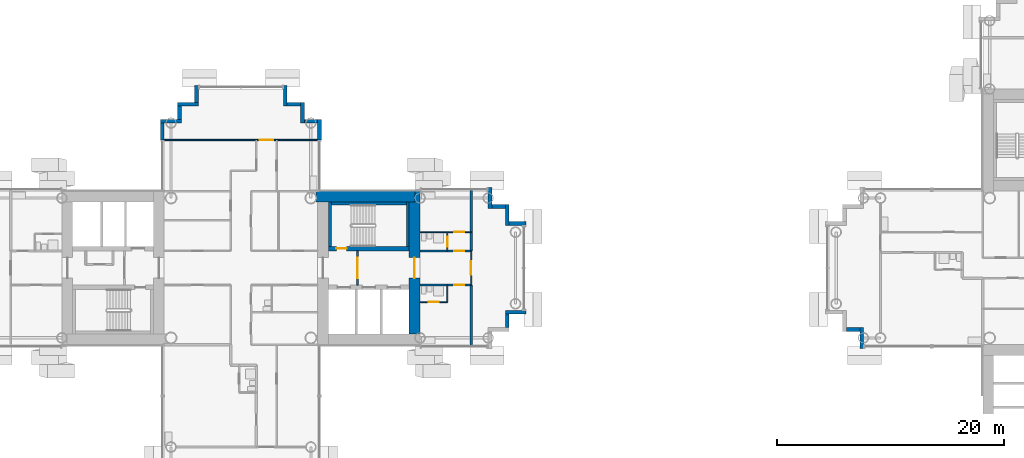
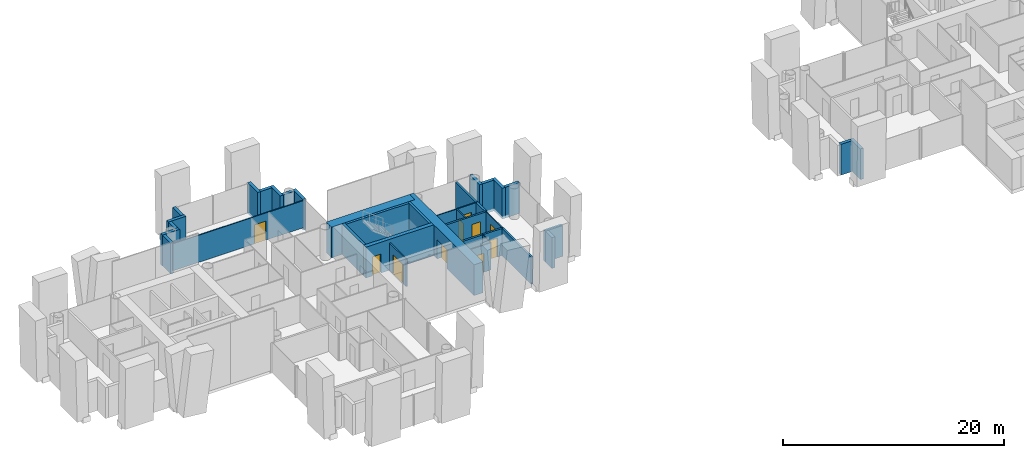
# One storey, part 10 of 20: 35 walls, 10 doors, 10 openings.
"""IFC4 building model written with IfcOpenShell, lengths in metres."""

from ifc_helpers import new_model, si_unit, direction, frame, frame_2d, origin, place, context, subcontext, project, spatial, rectangle, extrude, material, layer, layer_set, type_object, element, fill, save


model = new_model("IFC4")

# Units and contexts
model_context = context("Model", 3, precision=1e-05, world=origin(), true_north=direction((0.0, 1.0)))
body_context = subcontext(model_context, "Body", "Model", "MODEL_VIEW")
ifc_project = project(units=[si_unit("LENGTHUNIT", "METRE"), si_unit("AREAUNIT", "SQUARE_METRE"), si_unit("VOLUMEUNIT", "CUBIC_METRE"), si_unit("PLANEANGLEUNIT", "RADIAN"), si_unit("MASSUNIT", "GRAM", prefix="KILO")], contexts=[model_context])

# Site, building, storey
site_placement = place(None, origin())
site = spatial("IfcSite", under=ifc_project, at=site_placement, CompositionType="ELEMENT")
building_placement = place(site_placement, origin())
building = spatial("IfcBuilding", under=site, at=building_placement, Name="Ipe Terrace Towers", CompositionType="ELEMENT")
storey_placement = place(building_placement, frame((0.0, 0.0, 100.39990234375)))
storey = spatial("IfcBuildingStorey", under=building, at=storey_placement, Name="L27", CompositionType="ELEMENT", Elevation=100.39990234375)

# Walls
ifc_material_1 = material(Name="Concrete C40/50 with buff precast cladding", Category="concrete")
ifc_layer_1 = layer(ifc_material_1, 0.320068359375)
ifc_layer_set_1 = layer_set([ifc_layer_1], Name="BUFF CLADDING WALL 320")
wall_type_1 = type_object("IfcWallType", Name="BUFF CLADDING WALL 320", PredefinedType="STANDARD", material=ifc_layer_set_1)
wall_1_placement = place(storey_placement, frame((-12.590087890625, -5.25, -0.2998046875), z_axis=(0.0, 0.0, 1.0), x_axis=(0.0, 1.0, 0.0)))
element("IfcWall", 1, at=wall_1_placement, inside=storey, type_object=wall_type_1, Name="T1-W-L27-23a wall", PredefinedType="STANDARD", context=body_context, shape_type="SweptSolid", body=[
    extrude(rectangle(XDim=1.179931640625, YDim=0.320068359375, at=frame_2d((0.58984375, 0.0))), origin(), (0.0, 0.0, 1.0), 3.39990234375),
])
wall_2_placement = place(storey_placement, frame((-12.75, -3.909912109375, -0.2998046875), z_axis=(0.0, 0.0, 1.0), x_axis=(1.0, 0.0, 0.0)))
element("IfcWall", 2, at=wall_2_placement, inside=storey, type_object=wall_type_1, Name="T1-W-L27-24a wall", PredefinedType="STANDARD", context=body_context, shape_type="SweptSolid", body=[
    extrude(rectangle(XDim=1.820068359375, YDim=0.320068359375, at=frame_2d((0.91015625, 0.0))), origin(), (0.0, 0.0, 1.0), 3.39990234375),
])
wall_3_placement = place(storey_placement, frame((-10.929931640625, 3.909912109375, -0.2998046875), z_axis=(0.0, 0.0, 1.0), x_axis=(-1.0, 0.0, 0.0)))
element("IfcWall", 3, at=wall_3_placement, inside=storey, type_object=wall_type_1, Name="T1-W-L27-26a wall", PredefinedType="STANDARD", context=body_context, shape_type="SweptSolid", body=[
    extrude(rectangle(XDim=1.5, YDim=0.320068359375, at=frame_2d((0.75, 0.0))), origin(), (0.0, 0.0, 1.0), 3.39990234375),
])
wall_4_placement = place(storey_placement, frame((-12.590087890625, 3.75, -0.2998046875), z_axis=(0.0, 0.0, 1.0), x_axis=(0.0, 1.0, 0.0)))
element("IfcWall", 4, at=wall_4_placement, inside=storey, type_object=wall_type_1, Name="T1-W-L27-27a wall", PredefinedType="STANDARD", context=body_context, shape_type="SweptSolid", body=[
    extrude(rectangle(XDim=1.820068359375, YDim=0.320068359375, at=frame_2d((0.91015625, 0.0))), origin(), (0.0, 0.0, 1.0), 3.39990234375),
])
wall_5_placement = place(storey_placement, frame((-12.75, 5.409912109375, -0.2998046875), z_axis=(0.0, 0.0, 1.0), x_axis=(-1.0, 0.0, 0.0)))
element("IfcWall", 5, at=wall_5_placement, inside=storey, type_object=wall_type_1, Name="T1-W-L27-28a wall", PredefinedType="STANDARD", context=body_context, shape_type="SweptSolid", body=[
    extrude(rectangle(XDim=1.179931640625, YDim=0.320068359375, at=frame_2d((0.58984375, 0.0))), origin(), (0.0, 0.0, 1.0), 3.39990234375),
])
for number, where, z_axis, x_axis, name in (
    (6, (-14.090087890625, 5.25, -0.2998046875), (0.0, 0.0, 1.0), (0.0, 1.0, 0.0), "T1-W-L27-29a wall"),
    (7, (-29.090087890625, 11.25, -0.2998046875), (0.0, 0.0, 1.0), (0.0, 1.0, 0.0), "T1-W-L27-33a wall"),
):
    element("IfcWall", number, at=place(storey_placement, frame(where, z_axis=z_axis, x_axis=x_axis)), inside=storey, type_object=wall_type_1, Name=name, PredefinedType="STANDARD", context=body_context, shape_type="SweptSolid", body=[
        extrude(rectangle(XDim=1.820068359375, YDim=0.320068359375, at=frame_2d((0.91015625, 0.0))), origin(), (0.0, 0.0, 1.0), 3.39990234375),
    ])
wall_6_placement = place(storey_placement, frame((-29.25, 12.909912109375, -0.2998046875), z_axis=(0.0, 0.0, 1.0), x_axis=(-1.0, 0.0, 0.0)))
element("IfcWall", 8, at=wall_6_placement, inside=storey, type_object=wall_type_1, Name="T1-W-L27-34a wall", PredefinedType="STANDARD", context=body_context, shape_type="SweptSolid", body=[
    extrude(rectangle(XDim=1.179931640625, YDim=0.320068359375, at=frame_2d((0.58984375, 0.0))), origin(), (0.0, 0.0, 1.0), 3.39990234375),
])
wall_7_placement = place(storey_placement, frame((-30.590087890625, 12.75, -0.2998046875), z_axis=(0.0, 0.0, 1.0), x_axis=(0.0, 1.0, 0.0)))
element("IfcWall", 9, at=wall_7_placement, inside=storey, type_object=wall_type_1, Name="T1-W-L27-35a wall", PredefinedType="STANDARD", context=body_context, shape_type="SweptSolid", body=[
    extrude(rectangle(XDim=1.820068359375, YDim=0.320068359375, at=frame_2d((0.91015625, 0.0))), origin(), (0.0, 0.0, 1.0), 3.39990234375),
])
wall_8_placement = place(storey_placement, frame((-30.75, 14.409912109375, -0.2998046875), z_axis=(0.0, 0.0, 1.0), x_axis=(-1.0, 0.0, 0.0)))
element("IfcWall", 10, at=wall_8_placement, inside=storey, type_object=wall_type_1, Name="T1-W-L27-36a wall", PredefinedType="STANDARD", context=body_context, shape_type="SweptSolid", body=[
    extrude(rectangle(XDim=1.179931640625, YDim=0.320068359375, at=frame_2d((0.58984375, 0.0))), origin(), (0.0, 0.0, 1.0), 3.39990234375),
])
wall_9_placement = place(storey_placement, frame((-32.090087890625, 14.25, -0.2998046875), z_axis=(0.0, 0.0, 1.0), x_axis=(0.0, 1.0, 0.0)))
element("IfcWall", 11, at=wall_9_placement, inside=storey, type_object=wall_type_1, Name="T1-W-L27-37a wall", PredefinedType="STANDARD", context=body_context, shape_type="SweptSolid", body=[
    extrude(rectangle(XDim=1.820068359375, YDim=0.320068359375, at=frame_2d((0.91015625, 0.0))), origin(), (0.0, 0.0, 1.0), 3.39990234375),
])
wall_10_placement = place(storey_placement, frame((-39.909912109375, 16.070068359375, -0.2998046875), z_axis=(0.0, 0.0, 1.0), x_axis=(0.0, -1.0, 0.0)))
element("IfcWall", 12, at=wall_10_placement, inside=storey, type_object=wall_type_1, Name="T1-W-L27-39a wall", PredefinedType="STANDARD", context=body_context, shape_type="SweptSolid", body=[
    extrude(rectangle(XDim=1.5, YDim=0.320068359375, at=frame_2d((0.75, 0.0))), origin(), (0.0, 0.0, 1.0), 3.39990234375),
])
wall_11_placement = place(storey_placement, frame((-39.75, 14.409912109375, -0.2998046875), z_axis=(0.0, 0.0, 1.0), x_axis=(-1.0, 0.0, 0.0)))
element("IfcWall", 13, at=wall_11_placement, inside=storey, type_object=wall_type_1, Name="T1-W-L27-40a wall", PredefinedType="STANDARD", context=body_context, shape_type="SweptSolid", body=[
    extrude(rectangle(XDim=1.820068359375, YDim=0.320068359375, at=frame_2d((0.91015625, 0.0))), origin(), (0.0, 0.0, 1.0), 3.39990234375),
])
wall_12_placement = place(storey_placement, frame((-41.409912109375, 14.25, -0.2998046875), z_axis=(0.0, 0.0, 1.0), x_axis=(0.0, -1.0, 0.0)))
element("IfcWall", 14, at=wall_12_placement, inside=storey, type_object=wall_type_1, Name="T1-W-L27-41a wall", PredefinedType="STANDARD", context=body_context, shape_type="SweptSolid", body=[
    extrude(rectangle(XDim=1.179931640625, YDim=0.320068359375, at=frame_2d((0.58984375, 0.0))), origin(), (0.0, 0.0, 1.0), 3.39990234375),
])
wall_13_placement = place(storey_placement, frame((-41.25, 12.909912109375, -0.2998046875), z_axis=(0.0, 0.0, 1.0), x_axis=(-1.0, 0.0, 0.0)))
element("IfcWall", 15, at=wall_13_placement, inside=storey, type_object=wall_type_1, Name="T1-W-L27-42a wall", PredefinedType="STANDARD", context=body_context, shape_type="SweptSolid", body=[
    extrude(rectangle(XDim=1.820068359375, YDim=0.320068359375, at=frame_2d((0.91015625, 0.0))), origin(), (0.0, 0.0, 1.0), 3.39990234375),
])
wall_14_placement = place(storey_placement, frame((-42.909912109375, 12.75, -0.2998046875), z_axis=(0.0, 0.0, 1.0), x_axis=(0.0, -1.0, 0.0)))
element("IfcWall", 16, at=wall_14_placement, inside=storey, type_object=wall_type_1, Name="T1-W-L27-43a wall", PredefinedType="STANDARD", context=body_context, shape_type="SweptSolid", body=[
    extrude(rectangle(XDim=1.5, YDim=0.320068359375, at=frame_2d((0.75, 0.0))), origin(), (0.0, 0.0, 1.0), 3.39990234375),
])
wall_15_placement = place(storey_placement, frame((17.25, -5.409912109375, -0.2998046875), z_axis=(0.0, 0.0, 1.0), x_axis=(1.0, 0.0, 0.0)))
element("IfcWall", 17, at=wall_15_placement, inside=storey, type_object=wall_type_1, Name="T2-W-L27-37a wall", PredefinedType="STANDARD", context=body_context, shape_type="SweptSolid", body=[
    extrude(rectangle(XDim=1.179931640625, YDim=0.320068359375, at=frame_2d((0.58984375, 0.0))), origin(), (0.0, 0.0, 1.0), 3.39990234375),
])
wall_16_placement = place(storey_placement, frame((18.590087890625, -5.25, -0.2998046875), z_axis=(0.0, 0.0, 1.0), x_axis=(0.0, -1.0, 0.0)))
element("IfcWall", 18, at=wall_16_placement, inside=storey, type_object=wall_type_1, Name="T2-W-L27-38a wall", PredefinedType="STANDARD", context=body_context, shape_type="SweptSolid", body=[
    extrude(rectangle(XDim=1.820068359375, YDim=0.320068359375, at=frame_2d((0.91015625, 0.0))), origin(), (0.0, 0.0, 1.0), 3.39990234375),
])
ifc_material_2 = material(Name="Gypsum board partition", Category="plasterboard")
ifc_layer_2 = layer(ifc_material_2, 0.10009765625)
ifc_layer_set_2 = layer_set([ifc_layer_2], Name="Gypsum board partition 100 mm")
wall_type_2 = type_object("IfcWallType", Name="Gypsum board partition 100 mm", PredefinedType="PARTITIONING", material=ifc_layer_set_2)
wall_17_placement = place(storey_placement, frame((-17.85009765625, -3.0, 0.0), z_axis=(0.0, 0.0, 1.0), x_axis=(0.0, 1.0, 0.0)))
element("IfcWall", 19, at=wall_17_placement, inside=storey, type_object=wall_type_2, Name="Gypsum board partition T1 L27 W16", PredefinedType="PARTITIONING", context=body_context, shape_type="SweptSolid", body=[
    extrude(rectangle(XDim=1.5, YDim=0.10009765625, at=frame_2d((0.75, 0.0))), origin(), (0.0, 0.0, 1.0), 3.0),
])

# Wall, opening, door
wall_18_placement = place(storey_placement, frame((-17.85009765625, 1.5, 0.0), z_axis=(0.0, 0.0, 1.0), x_axis=(0.0, 1.0, 0.0)))
wall_18 = element("IfcWall", 20, at=wall_18_placement, inside=storey, type_object=wall_type_2, Name="Gypsum board partition T1 L27 W17", PredefinedType="PARTITIONING", context=body_context, shape_type="SweptSolid", body=[
    extrude(rectangle(XDim=1.64990234375, YDim=0.10009765625, at=frame_2d((0.824951171875, 0.0))), origin(), (0.0, 0.0, 1.0), 3.0),
])
opening_1_placement = place(wall_18_placement, frame((0.35009765625, 0.0, 0.0)))
opening_1 = element("IfcOpeningElement", 21, at=opening_1_placement, cuts=wall_18, Name="Opening T1-Z2E-18", PredefinedType="OPENING", context=body_context, shape_type="SweptSolid", body=[
    extrude(rectangle(XDim=0.89990234375, YDim=2.10009765625, at=frame_2d((0.449951171875, 1.050048828125))), frame((0.0, 0.06005859375, 0.0), z_axis=(0.0, -1.0, 0.0), x_axis=(1.0, 0.0, 0.0)), (0.0, 0.0, 1.0), 0.1201171875),
])
ifc_material_3 = material(Name="Timber door leaf", Category="wood")
door_type_1 = type_object("IfcDoorType", Name="Bathroom door 900 x 2100", OperationType="NOTDEFINED", PredefinedType="DOOR", material=ifc_material_3)
door_1_placement = place(opening_1_placement, origin())
door_1 = element("IfcDoor", 22, at=door_1_placement, inside=storey, type_object=door_type_1, Name="Bathroom door T1-Z2E-18", OperationType="SINGLE_SWING_RIGHT", OverallHeight=2.10009765625, OverallWidth=0.89990234375, PredefinedType="DOOR", context=body_context, shape_type="SweptSolid", body=[
    extrude(rectangle(XDim=0.89990234375, YDim=2.10009765625, at=frame_2d((0.449951171875, 1.050048828125))), frame((0.0, 0.02490234375, 0.0), z_axis=(0.0, -1.0, 0.0), x_axis=(1.0, 0.0, 0.0)), (0.0, 0.0, 1.0), 0.050048828125),
])
fill(opening_1, door_1)

wall_19_placement = place(storey_placement, frame((-15.75, -1.5, 0.0), z_axis=(0.0, 0.0, 1.0), x_axis=(0.0, 1.0, 0.0)))
wall_19 = element("IfcWall", 23, at=wall_19_placement, inside=storey, type_object=wall_type_2, Name="Gypsum board partition T1 L27 W18", PredefinedType="PARTITIONING", context=body_context, shape_type="SweptSolid", body=[
    extrude(rectangle(XDim=3.0, YDim=0.10009765625, at=frame_2d((1.5, 0.0))), origin(), (0.0, 0.0, 1.0), 3.0),
])
opening_2_placement = place(wall_19_placement, frame((0.89990234375, 0.0, 0.0)))
opening_2 = element("IfcOpeningElement", 24, at=opening_2_placement, cuts=wall_19, Name="Opening T1-Z2E-21", PredefinedType="OPENING", context=body_context, shape_type="SweptSolid", body=[
    extrude(rectangle(XDim=1.199951171875, YDim=2.10009765625, at=frame_2d((0.60009765625, 1.050048828125))), frame((0.0, 0.06005859375, 0.0), z_axis=(0.0, -1.0, 0.0), x_axis=(1.0, 0.0, 0.0)), (0.0, 0.0, 1.0), 0.1201171875),
])
ifc_material_4 = material(Name="Timber door leaf", Category="wood")
door_type_2 = type_object("IfcDoorType", Name="Lounge door 1200 x 2100", OperationType="NOTDEFINED", PredefinedType="DOOR", material=ifc_material_4)
door_2_placement = place(opening_2_placement, origin())
door_2 = element("IfcDoor", 25, at=door_2_placement, inside=storey, type_object=door_type_2, Name="Lounge door T1-Z2E-21", OperationType="SINGLE_SWING_RIGHT", OverallHeight=2.10009765625, OverallWidth=1.199951171875, PredefinedType="DOOR", context=body_context, shape_type="SweptSolid", body=[
    extrude(rectangle(XDim=1.199951171875, YDim=2.10009765625, at=frame_2d((0.60009765625, 1.050048828125))), frame((0.0, 0.02490234375, 0.0), z_axis=(0.0, -1.0, 0.0), x_axis=(1.0, 0.0, 0.0)), (0.0, 0.0, 1.0), 0.050048828125),
])
fill(opening_2, door_2)

wall_20_placement = place(storey_placement, frame((-20.25, -3.0, 0.0), z_axis=(0.0, 0.0, 1.0), x_axis=(1.0, 0.0, 0.0)))
wall_20 = element("IfcWall", 26, at=wall_20_placement, inside=storey, type_object=wall_type_2, Name="Gypsum board partition T1 L27 W28", PredefinedType="PARTITIONING", context=body_context, shape_type="SweptSolid", body=[
    extrude(rectangle(XDim=2.39990234375, YDim=0.10009765625, at=frame_2d((1.199951171875, 0.0))), origin(), (0.0, 0.0, 1.0), 3.0),
])
opening_3_placement = place(wall_20_placement, frame((0.75, 0.0, 0.0)))
opening_3 = element("IfcOpeningElement", 27, at=opening_3_placement, cuts=wall_20, Name="Opening T1-Z2E-20", PredefinedType="OPENING", context=body_context, shape_type="SweptSolid", body=[
    extrude(rectangle(XDim=0.89990234375, YDim=2.10009765625, at=frame_2d((0.449951171875, 1.050048828125))), frame((0.0, 0.06005859375, 0.0), z_axis=(0.0, -1.0, 0.0), x_axis=(1.0, 0.0, 0.0)), (0.0, 0.0, 1.0), 0.1201171875),
])
door_3_placement = place(opening_3_placement, origin())
door_3 = element("IfcDoor", 28, at=door_3_placement, inside=storey, type_object=door_type_1, Name="Bathroom door T1-Z2E-20", OperationType="SINGLE_SWING_LEFT", OverallHeight=2.10009765625, OverallWidth=0.89990234375, PredefinedType="DOOR", context=body_context, shape_type="SweptSolid", body=[
    extrude(rectangle(XDim=0.89990234375, YDim=2.10009765625, at=frame_2d((0.449951171875, 1.050048828125))), frame((0.0, 0.02490234375, 0.0), z_axis=(0.0, -1.0, 0.0), x_axis=(1.0, 0.0, 0.0)), (0.0, 0.0, 1.0), 0.050048828125),
])
fill(opening_3, door_3)

wall_21_placement = place(storey_placement, frame((-20.25, 3.14990234375, 0.0), z_axis=(0.0, 0.0, 1.0), x_axis=(1.0, 0.0, 0.0)))
wall_21 = element("IfcWall", 29, at=wall_21_placement, inside=storey, type_object=wall_type_2, Name="Gypsum board partition T1 L27 W38", PredefinedType="PARTITIONING", context=body_context, shape_type="SweptSolid", body=[
    extrude(rectangle(XDim=4.5, YDim=0.10009765625, at=frame_2d((2.25, 0.0))), origin(), (0.0, 0.0, 1.0), 3.0),
])
opening_4_placement = place(wall_21_placement, frame((3.0, 0.0, 0.0)))
opening_4 = element("IfcOpeningElement", 30, at=opening_4_placement, cuts=wall_21, Name="Opening T1-Z2E-17", PredefinedType="OPENING", context=body_context, shape_type="SweptSolid", body=[
    extrude(rectangle(XDim=0.89990234375, YDim=2.10009765625, at=frame_2d((0.449951171875, 1.050048828125))), frame((0.0, 0.06005859375, 0.0), z_axis=(0.0, -1.0, 0.0), x_axis=(1.0, 0.0, 0.0)), (0.0, 0.0, 1.0), 0.1201171875),
])
ifc_material_5 = material(Name="Timber door leaf", Category="wood")
door_type_3 = type_object("IfcDoorType", Name="Bedroom door 900 x 2100", OperationType="NOTDEFINED", PredefinedType="DOOR", material=ifc_material_5)
door_4_placement = place(opening_4_placement, origin())
door_4 = element("IfcDoor", 31, at=door_4_placement, inside=storey, type_object=door_type_3, Name="Bedroom door T1-Z2E-17", OperationType="SINGLE_SWING_LEFT", OverallHeight=2.10009765625, OverallWidth=0.89990234375, PredefinedType="DOOR", context=body_context, shape_type="SweptSolid", body=[
    extrude(rectangle(XDim=0.89990234375, YDim=2.10009765625, at=frame_2d((0.449951171875, 1.050048828125))), frame((0.0, 0.02490234375, 0.0), z_axis=(0.0, -1.0, 0.0), x_axis=(1.0, 0.0, 0.0)), (0.0, 0.0, 1.0), 0.050048828125),
])
fill(opening_4, door_4)

wall_22_placement = place(storey_placement, frame((-42.85009765625, 11.25, 0.0), z_axis=(0.0, 0.0, 1.0), x_axis=(1.0, 0.0, 0.0)))
wall_22 = element("IfcWall", 32, at=wall_22_placement, inside=storey, type_object=wall_type_2, Name="Gypsum board partition T1 L27 W43", PredefinedType="PARTITIONING", context=body_context, shape_type="SweptSolid", body=[
    extrude(rectangle(XDim=13.7001953125, YDim=0.10009765625, at=frame_2d((6.85009765625, 0.0))), origin(), (0.0, 0.0, 1.0), 3.0),
])
opening_5_placement = place(wall_22_placement, frame((8.5, 0.0, 0.0)))
opening_5 = element("IfcOpeningElement", 33, at=opening_5_placement, cuts=wall_22, Name="Opening T1-Z2E-11", PredefinedType="OPENING", context=body_context, shape_type="SweptSolid", body=[
    extrude(rectangle(XDim=1.199951171875, YDim=2.10009765625, at=frame_2d((0.60009765625, 1.050048828125))), frame((0.0, 0.06005859375, 0.0), z_axis=(0.0, -1.0, 0.0), x_axis=(1.0, 0.0, 0.0)), (0.0, 0.0, 1.0), 0.1201171875),
])
door_5_placement = place(opening_5_placement, origin())
door_5 = element("IfcDoor", 34, at=door_5_placement, inside=storey, type_object=door_type_2, Name="Lounge door T1-Z2E-11", OperationType="SINGLE_SWING_LEFT", OverallHeight=2.10009765625, OverallWidth=1.199951171875, PredefinedType="DOOR", context=body_context, shape_type="SweptSolid", body=[
    extrude(rectangle(XDim=1.199951171875, YDim=2.10009765625, at=frame_2d((0.60009765625, 1.050048828125))), frame((0.0, 0.02490234375, 0.0), z_axis=(0.0, -1.0, 0.0), x_axis=(1.0, 0.0, 0.0)), (0.0, 0.0, 1.0), 0.050048828125),
])
fill(opening_5, door_5)

ifc_material_6 = material(Name="Gypsum board partition", Category="plasterboard")
ifc_layer_3 = layer(ifc_material_6, 0.14990234375)
ifc_layer_set_3 = layer_set([ifc_layer_3], Name="Gypsum board partition 150 mm")
wall_type_3 = type_object("IfcWallType", Name="Gypsum board partition 150 mm", PredefinedType="PARTITIONING", material=ifc_layer_set_3)
wall_23_placement = place(storey_placement, frame((-25.75, -1.5, 0.0), z_axis=(0.0, 0.0, 1.0), x_axis=(0.0, 1.0, 0.0)))
wall_23 = element("IfcWall", 35, at=wall_23_placement, inside=storey, type_object=wall_type_3, Name="Gypsum board partition T1 L27 t1c1-lobby-wall", PredefinedType="PARTITIONING", context=body_context, shape_type="SweptSolid", body=[
    extrude(rectangle(XDim=3.0, YDim=0.14990234375, at=frame_2d((1.5, 0.0))), origin(), (0.0, 0.0, 1.0), 3.0),
])
opening_6_placement = place(wall_23_placement, frame((0.60009765625, 0.0, 0.0)))
opening_6 = element("IfcOpeningElement", 36, at=opening_6_placement, cuts=wall_23, Name="Opening T1C1-VD", PredefinedType="OPENING", context=body_context, shape_type="SweptSolid", body=[
    extrude(rectangle(XDim=1.800048828125, YDim=2.10009765625, at=frame_2d((0.89990234375, 1.050048828125))), frame((0.0, 0.0849609375, 0.0), z_axis=(0.0, -1.0, 0.0), x_axis=(1.0, 0.0, 0.0)), (0.0, 0.0, 1.0), 0.169921875),
])
ifc_material_7 = material(Name="Fire-rated timber door leaf", Category="wood")
door_type_4 = type_object("IfcDoorType", Name="Lobby door 1800 x 2100 FD60", OperationType="NOTDEFINED", PredefinedType="DOOR", material=ifc_material_7)
door_6_placement = place(opening_6_placement, origin())
door_6 = element("IfcDoor", 37, at=door_6_placement, inside=storey, type_object=door_type_4, Name="Lobby door T1C1-VD", OperationType="SINGLE_SWING_LEFT", OverallHeight=2.10009765625, OverallWidth=1.800048828125, PredefinedType="DOOR", context=body_context, shape_type="SweptSolid", body=[
    extrude(rectangle(XDim=1.800048828125, YDim=2.10009765625, at=frame_2d((0.89990234375, 1.050048828125))), frame((0.0, 0.02490234375, 0.0), z_axis=(0.0, -1.0, 0.0), x_axis=(1.0, 0.0, 0.0)), (0.0, 0.0, 1.0), 0.050048828125),
])
fill(opening_6, door_6)

# Walls
ifc_material_8 = material(Name="Gypsum board party wall", Category="plasterboard")
ifc_layer_4 = layer(ifc_material_8, 0.199951171875)
ifc_layer_set_4 = layer_set([ifc_layer_4], Name="Gypsum board party wall 200 mm")
wall_type_4 = type_object("IfcWallType", Name="Gypsum board party wall 200 mm", PredefinedType="SOLIDWALL", material=ifc_layer_set_4)
for number, where, z_axis, x_axis, name in (
    (38, (-15.75, -6.85009765625, 0.0), (0.0, 0.0, 1.0), (0.0, 1.0, 0.0), "Gypsum board party wall T1 L27 W19"),
    (39, (-15.75, 1.5, 0.0), (0.0, 0.0, 1.0), (0.0, 1.0, 0.0), "Gypsum board party wall T1 L27 W20"),
):
    element("IfcWall", number, at=place(storey_placement, frame(where, z_axis=z_axis, x_axis=x_axis)), inside=storey, type_object=wall_type_4, Name=name, PredefinedType="SOLIDWALL", context=body_context, shape_type="SweptSolid", body=[
        extrude(rectangle(XDim=5.35009765625, YDim=0.199951171875, at=frame_2d((2.675048828125, 0.0))), origin(), (0.0, 0.0, 1.0), 3.0),
    ])

# Wall, opening, door
wall_24_placement = place(storey_placement, frame((-20.25, -1.5, 0.0), z_axis=(0.0, 0.0, 1.0), x_axis=(1.0, 0.0, 0.0)))
wall_24 = element("IfcWall", 40, at=wall_24_placement, inside=storey, type_object=wall_type_4, Name="Gypsum board party wall T1 L27 W32", PredefinedType="SOLIDWALL", context=body_context, shape_type="SweptSolid", body=[
    extrude(rectangle(XDim=4.5, YDim=0.199951171875, at=frame_2d((2.25, 0.0))), origin(), (0.0, 0.0, 1.0), 3.0),
])
opening_7_placement = place(wall_24_placement, frame((3.0, 0.0, 0.0)))
opening_7 = element("IfcOpeningElement", 41, at=opening_7_placement, cuts=wall_24, Name="Opening T1-Z2E-19", PredefinedType="OPENING", context=body_context, shape_type="SweptSolid", body=[
    extrude(rectangle(XDim=0.89990234375, YDim=2.10009765625, at=frame_2d((0.449951171875, 1.050048828125))), frame((0.0, 0.10986328125, 0.0), z_axis=(0.0, -1.0, 0.0), x_axis=(1.0, 0.0, 0.0)), (0.0, 0.0, 1.0), 0.219970703125),
])
ifc_material_9 = material(Name="Fire-rated timber door leaf", Category="wood")
door_type_5 = type_object("IfcDoorType", Name="Flat entrance door 900 x 2100 FD30S", OperationType="NOTDEFINED", PredefinedType="DOOR", material=ifc_material_9)
door_7_placement = place(opening_7_placement, origin())
door_7 = element("IfcDoor", 42, at=door_7_placement, inside=storey, type_object=door_type_5, Name="Flat entrance door T1-Z2E-19", OperationType="SINGLE_SWING_RIGHT", OverallHeight=2.10009765625, OverallWidth=0.89990234375, PredefinedType="DOOR", context=body_context, shape_type="SweptSolid", body=[
    extrude(rectangle(XDim=0.89990234375, YDim=2.10009765625, at=frame_2d((0.449951171875, 1.050048828125))), frame((0.0, 0.02490234375, 0.0), z_axis=(0.0, -1.0, 0.0), x_axis=(1.0, 0.0, 0.0)), (0.0, 0.0, 1.0), 0.050048828125),
])
fill(opening_7, door_7)

wall_25_placement = place(storey_placement, frame((-20.25, 1.5, 0.0), z_axis=(0.0, 0.0, 1.0), x_axis=(1.0, 0.0, 0.0)))
wall_25 = element("IfcWall", 43, at=wall_25_placement, inside=storey, type_object=wall_type_4, Name="Gypsum board party wall T1 L27 W36", PredefinedType="SOLIDWALL", context=body_context, shape_type="SweptSolid", body=[
    extrude(rectangle(XDim=4.5, YDim=0.199951171875, at=frame_2d((2.25, 0.0))), origin(), (0.0, 0.0, 1.0), 3.0),
])
opening_8_placement = place(wall_25_placement, frame((3.0, 0.0, 0.0)))
opening_8 = element("IfcOpeningElement", 44, at=opening_8_placement, cuts=wall_25, Name="Opening T1-Z2E-16", PredefinedType="OPENING", context=body_context, shape_type="SweptSolid", body=[
    extrude(rectangle(XDim=0.89990234375, YDim=2.10009765625, at=frame_2d((0.449951171875, 1.050048828125))), frame((0.0, 0.10986328125, 0.0), z_axis=(0.0, -1.0, 0.0), x_axis=(1.0, 0.0, 0.0)), (0.0, 0.0, 1.0), 0.219970703125),
])
door_8_placement = place(opening_8_placement, origin())
door_8 = element("IfcDoor", 45, at=door_8_placement, inside=storey, type_object=door_type_5, Name="Flat entrance door T1-Z2E-16", OperationType="SINGLE_SWING_LEFT", OverallHeight=2.10009765625, OverallWidth=0.89990234375, PredefinedType="DOOR", context=body_context, shape_type="SweptSolid", body=[
    extrude(rectangle(XDim=0.89990234375, YDim=2.10009765625, at=frame_2d((0.449951171875, 1.050048828125))), frame((0.0, 0.02490234375, 0.0), z_axis=(0.0, -1.0, 0.0), x_axis=(1.0, 0.0, 0.0)), (0.0, 0.0, 1.0), 0.050048828125),
])
fill(opening_8, door_8)

# Walls
ifc_material_10 = material(Name="Concrete C50/60", Category="concrete")
ifc_layer_5 = layer(ifc_material_10, 0.25)
ifc_layer_set_5 = layer_set([ifc_layer_5], Name="RW250 CORE INFILL WALL 250 C50-60")
wall_type_5 = type_object("IfcWallType", Name="RW250 CORE INFILL WALL 250 C50-60", PredefinedType="SHEAR", material=ifc_layer_set_5)
wall_26_placement = place(storey_placement, frame((-21.324951171875, 1.89990234375, 0.0), z_axis=(0.0, 0.0, 1.0), x_axis=(0.0, 1.0, 0.0)))
element("IfcWall", 46, at=wall_26_placement, inside=storey, type_object=wall_type_5, Name="Core infill wall T1-C1-far", PredefinedType="SHEAR", context=body_context, shape_type="SweptSolid", body=[
    extrude(rectangle(XDim=3.900146484375, YDim=0.25, at=frame_2d((1.9501953125, 0.0))), origin(), (0.0, 0.0, 1.0), 3.400146484375),
])
wall_27_placement = place(storey_placement, frame((-28.050048828125, 5.675048828125, 0.0), z_axis=(0.0, 0.0, 1.0), x_axis=(1.0, 0.0, 0.0)))
element("IfcWall", 47, at=wall_27_placement, inside=storey, type_object=wall_type_5, Name="Core infill wall T1-C1-back", PredefinedType="SHEAR", context=body_context, shape_type="SweptSolid", body=[
    extrude(rectangle(XDim=6.60009765625, YDim=0.25, at=frame_2d((3.300048828125, 0.0))), origin(), (0.0, 0.0, 1.0), 3.400146484375),
])
wall_28_placement = place(storey_placement, frame((-28.175048828125, 1.89990234375, 0.0), z_axis=(0.0, 0.0, 1.0), x_axis=(0.0, 1.0, 0.0)))
element("IfcWall", 48, at=wall_28_placement, inside=storey, type_object=wall_type_5, Name="Core infill wall T1-C1-near", PredefinedType="SHEAR", context=body_context, shape_type="SweptSolid", body=[
    extrude(rectangle(XDim=3.900146484375, YDim=0.25, at=frame_2d((1.9501953125, 0.0))), origin(), (0.0, 0.0, 1.0), 3.400146484375),
])

# Wall, opening, door
ifc_material_11 = material(Name="Concrete C50/60", Category="concrete")
ifc_layer_6 = layer(ifc_material_11, 0.39990234375)
ifc_layer_set_6 = layer_set([ifc_layer_6], Name="RW400 CORE SPINE WALL 400 C50-60")
wall_type_6 = type_object("IfcWallType", Name="RW400 CORE SPINE WALL 400 C50-60", PredefinedType="SHEAR", material=ifc_layer_set_6)
wall_29_placement = place(storey_placement, frame((-28.300048828125, 1.699951171875, 0.0), z_axis=(0.0, 0.0, 1.0), x_axis=(1.0, 0.0, 0.0)))
wall_29 = element("IfcWall", 49, at=wall_29_placement, inside=storey, type_object=wall_type_6, Name="Core spine wall T1-C1-Z2-SW2", PredefinedType="SHEAR", context=body_context, shape_type="SweptSolid", body=[
    extrude(rectangle(XDim=7.10009765625, YDim=0.39990234375, at=frame_2d((3.550048828125, 0.0))), origin(), (0.0, 0.0, 1.0), 3.400146484375),
])
opening_9_placement = place(wall_29_placement, frame((0.699951171875, 0.0, 0.0)))
opening_9 = element("IfcOpeningElement", 50, at=opening_9_placement, cuts=wall_29, Name="Opening T1C1-SD", PredefinedType="OPENING", context=body_context, shape_type="SweptSolid", body=[
    extrude(rectangle(XDim=0.89990234375, YDim=2.10009765625, at=frame_2d((0.449951171875, 1.050048828125))), frame((0.0, 0.2099609375, 0.0), z_axis=(0.0, -1.0, 0.0), x_axis=(1.0, 0.0, 0.0)), (0.0, 0.0, 1.0), 0.419921875),
])
ifc_material_12 = material(Name="Fire-rated timber door leaf", Category="wood")
door_type_6 = type_object("IfcDoorType", Name="Stair door 900 x 2100 FD60", OperationType="NOTDEFINED", PredefinedType="DOOR", material=ifc_material_12)
door_9_placement = place(opening_9_placement, origin())
door_9 = element("IfcDoor", 51, at=door_9_placement, inside=storey, type_object=door_type_6, Name="Stair door T1C1-SD", OperationType="SINGLE_SWING_LEFT", OverallHeight=2.10009765625, OverallWidth=0.89990234375, PredefinedType="DOOR", context=body_context, shape_type="SweptSolid", body=[
    extrude(rectangle(XDim=0.89990234375, YDim=2.10009765625, at=frame_2d((0.449951171875, 1.050048828125))), frame((0.0, 0.02490234375, 0.0), z_axis=(0.0, -1.0, 0.0), x_axis=(1.0, 0.0, 0.0)), (0.0, 0.0, 1.0), 0.050048828125),
])
fill(opening_9, door_9)

ifc_material_13 = material(Name="Concrete C50/60", Category="concrete")
ifc_layer_7 = layer(ifc_material_13, 0.949951171875)
ifc_layer_set_7 = layer_set([ifc_layer_7], Name="RW950 CORE WALL 950 C50-60")
wall_type_7 = type_object("IfcWallType", Name="RW950 CORE WALL 950 C50-60", PredefinedType="SHEAR", material=ifc_layer_set_7)
wall_30_placement = place(storey_placement, frame((-20.72509765625, -5.800048828125, 0.0), z_axis=(0.0, 0.0, 1.0), x_axis=(0.0, 1.0, 0.0)))
wall_30 = element("IfcWall", 52, at=wall_30_placement, inside=storey, type_object=wall_type_7, Name="Core wall T1-C1-Z2-W02", PredefinedType="SHEAR", context=body_context, shape_type="SweptSolid", body=[
    extrude(rectangle(XDim=12.550048828125, YDim=0.949951171875, at=frame_2d((6.27490234375, 0.0))), origin(), (0.0, 0.0, 1.0), 3.400146484375),
])
opening_10_placement = place(wall_30_placement, frame((4.89990234375, 0.0, 0.0)))
opening_10 = element("IfcOpeningElement", 53, at=opening_10_placement, cuts=wall_30, Name="Opening T1C1-FD", PredefinedType="OPENING", context=body_context, shape_type="SweptSolid", body=[
    extrude(rectangle(XDim=1.800048828125, YDim=2.10009765625, at=frame_2d((0.89990234375, 1.050048828125))), frame((0.0, 0.48486328125, 0.0), z_axis=(0.0, -1.0, 0.0), x_axis=(1.0, 0.0, 0.0)), (0.0, 0.0, 1.0), 0.969970703125),
])
ifc_material_14 = material(Name="Fire-rated timber door leaf", Category="wood")
door_type_7 = type_object("IfcDoorType", Name="Fire door 1800 x 2100 FD30S", OperationType="NOTDEFINED", PredefinedType="DOOR", material=ifc_material_14)
door_10_placement = place(opening_10_placement, origin())
door_10 = element("IfcDoor", 54, at=door_10_placement, inside=storey, type_object=door_type_7, Name="Fire door T1C1-FD", OperationType="SINGLE_SWING_LEFT", OverallHeight=2.10009765625, OverallWidth=1.800048828125, PredefinedType="DOOR", context=body_context, shape_type="SweptSolid", body=[
    extrude(rectangle(XDim=1.800048828125, YDim=2.10009765625, at=frame_2d((0.89990234375, 1.050048828125))), frame((0.0, 0.02490234375, 0.0), z_axis=(0.0, -1.0, 0.0), x_axis=(1.0, 0.0, 0.0)), (0.0, 0.0, 1.0), 0.050048828125),
])
fill(opening_10, door_10)

# Wall
wall_31_placement = place(storey_placement, frame((-20.701904296875, 6.27490234375, 0.0), z_axis=(0.0, 0.0, 1.0), x_axis=(-1.0, 0.0, 0.0)))
element("IfcWall", 55, at=wall_31_placement, inside=storey, type_object=wall_type_7, Name="Core wall T1-C1-Z2-W03", PredefinedType="SHEAR", context=body_context, shape_type="SweptSolid", body=[
    extrude(rectangle(XDim=8.696044921875, YDim=0.949951171875, at=frame_2d((4.34814453125, 0.0))), origin(), (0.0, 0.0, 1.0), 3.400146484375),
])

save(model, "model.ifc")
